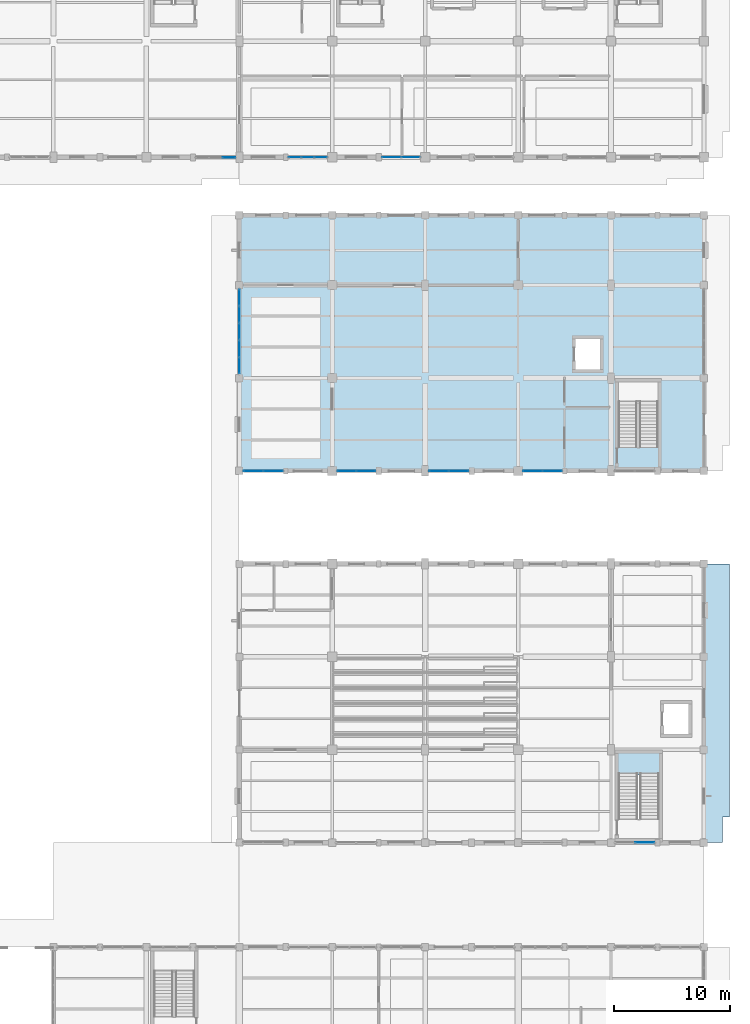
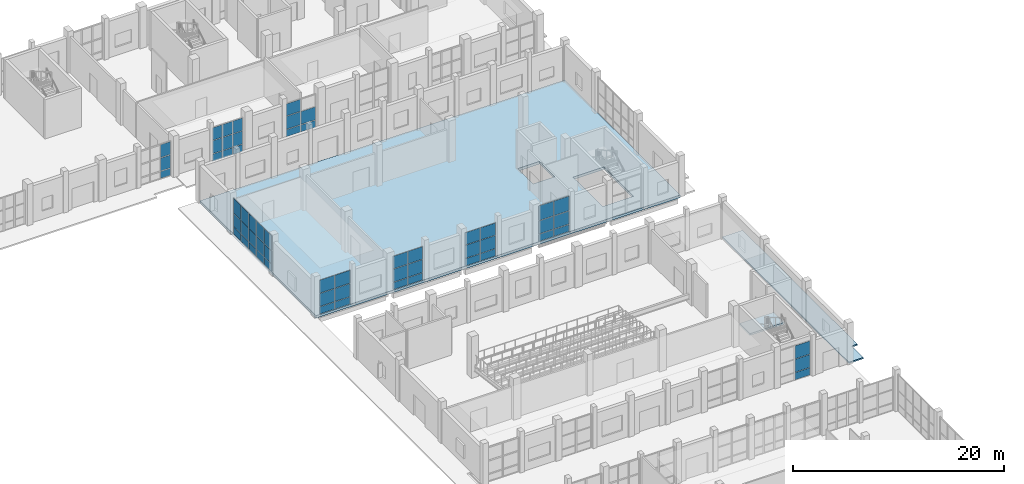
# One storey, part 117 of 156: 59 plates, 3 slabs, 10 elements without a shape of their own.
"""IFC4 building model written with IfcOpenShell, lengths in metres."""

from ifc_helpers import new_model, si_unit, direction, frame, origin, origin_2d, place, context, subcontext, project, spatial, polyline, rectangle, outline, extrude, material, layer, layer_set, type_object, element, aggregate, save


model = new_model("IFC4")

# Units and contexts
model_context = context("Model", 3, precision=1e-05, world=origin(), true_north=direction((0.0, 1.0)))
body_context = subcontext(model_context, "Body", "Model", "MODEL_VIEW")
ifc_project = project(units=[si_unit("LENGTHUNIT", "METRE"), si_unit("AREAUNIT", "SQUARE_METRE"), si_unit("VOLUMEUNIT", "CUBIC_METRE"), si_unit("PLANEANGLEUNIT", "RADIAN"), si_unit("MASSUNIT", "GRAM", prefix="KILO")], contexts=[model_context])

# Site, building, storey
site_placement = place(None, origin())
site = spatial("IfcSite", under=ifc_project, at=site_placement, CompositionType="ELEMENT")
building_placement = place(site_placement, origin())
building = spatial("IfcBuilding", under=site, at=building_placement, Name="Luwemba Playhouse", CompositionType="ELEMENT")
storey_placement = place(building_placement, origin())
storey = spatial("IfcBuildingStorey", under=building, at=storey_placement, Name="L00", CompositionType="ELEMENT", Elevation=0.0)

# Curtain wall, plates
ifc_material_1 = material(Name="Solar-control double glazing", Category="glass")
curtain_wall_type_1 = type_object("IfcCurtainWallType", Name="CW-CW22", PredefinedType="USERDEFINED", material=ifc_material_1)
curtain_wall_1_placement = place(storey_placement, origin())
curtain_wall_1 = element("IfcCurtainWall", 1, at=curtain_wall_1_placement, inside=storey, type_object=curtain_wall_type_1, Name="L00 V4 unitised curtain wall 023", ObjectType="UNITISED GLAZING", PredefinedType="USERDEFINED")
ifc_layer_1 = layer(ifc_material_1, 0.02392578125)
ifc_layer_set_1 = layer_set([ifc_layer_1], Name="Solar-control double glazing")
plate_type_1 = type_object("IfcPlateType", Name="CWP-P1", PredefinedType="CURTAIN_PANEL", material=ifc_layer_set_1)
plate_1_placement = place(storey_placement, frame((142.8974609375, 68.0, 0.06005859375), z_axis=(0.0, 0.0, 1.0), x_axis=(-1.0, 0.0, 0.0)))
plate_1 = element("IfcPlate", 2, at=plate_1_placement, type_object=plate_type_1, Name="CW22 panel 1.1", PredefinedType="CURTAIN_PANEL", context=body_context, shape_type="SweptSolid", body=[
    extrude(rectangle(XDim=1.5849609375, YDim=0.02392578125, at=origin_2d()), origin(), (0.0, 0.0, 1.0), 0.81005859375),
])
plate_2_placement = place(storey_placement, frame((142.8974609375, 68.0, 0.93017578125), z_axis=(0.0, 0.0, 1.0), x_axis=(-1.0, 0.0, 0.0)))
plate_2 = element("IfcPlate", 3, at=plate_2_placement, type_object=plate_type_1, Name="CW22 panel 1.2", PredefinedType="CURTAIN_PANEL", context=body_context, shape_type="SweptSolid", body=[
    extrude(rectangle(XDim=1.5849609375, YDim=0.02392578125, at=origin_2d()), origin(), (0.0, 0.0, 1.0), 1.489990234375),
])
plate_3_placement = place(storey_placement, frame((142.8974609375, 68.0, 2.47998046875), z_axis=(0.0, 0.0, 1.0), x_axis=(-1.0, 0.0, 0.0)))
plate_3 = element("IfcPlate", 4, at=plate_3_placement, type_object=plate_type_1, Name="CW22 panel 1.3", PredefinedType="CURTAIN_PANEL", context=body_context, shape_type="SweptSolid", body=[
    extrude(rectangle(XDim=1.5849609375, YDim=0.02392578125, at=origin_2d()), origin(), (0.0, 0.0, 1.0), 1.445068359375),
])
plate_4_placement = place(storey_placement, frame((141.25244140625, 68.0, 0.06005859375), z_axis=(0.0, 0.0, 1.0), x_axis=(-1.0, 0.0, 0.0)))
plate_4 = element("IfcPlate", 5, at=plate_4_placement, type_object=plate_type_1, Name="CW22 panel 2.1", PredefinedType="CURTAIN_PANEL", context=body_context, shape_type="SweptSolid", body=[
    extrude(rectangle(XDim=1.5849609375, YDim=0.02392578125, at=origin_2d()), origin(), (0.0, 0.0, 1.0), 0.81005859375),
])
plate_5_placement = place(storey_placement, frame((141.25244140625, 68.0, 0.93017578125), z_axis=(0.0, 0.0, 1.0), x_axis=(-1.0, 0.0, 0.0)))
plate_5 = element("IfcPlate", 6, at=plate_5_placement, type_object=plate_type_1, Name="CW22 panel 2.2", PredefinedType="CURTAIN_PANEL", context=body_context, shape_type="SweptSolid", body=[
    extrude(rectangle(XDim=1.5849609375, YDim=0.02392578125, at=origin_2d()), origin(), (0.0, 0.0, 1.0), 1.489990234375),
])
plate_6_placement = place(storey_placement, frame((141.25244140625, 68.0, 2.47998046875), z_axis=(0.0, 0.0, 1.0), x_axis=(-1.0, 0.0, 0.0)))
plate_6 = element("IfcPlate", 7, at=plate_6_placement, type_object=plate_type_1, Name="CW22 panel 2.3", PredefinedType="CURTAIN_PANEL", context=body_context, shape_type="SweptSolid", body=[
    extrude(rectangle(XDim=1.5849609375, YDim=0.02392578125, at=origin_2d()), origin(), (0.0, 0.0, 1.0), 1.445068359375),
])
aggregate(curtain_wall_1, [plate_1, plate_2, plate_3, plate_4, plate_5, plate_6])

curtain_wall_type_2 = type_object("IfcCurtainWallType", Name="CW-CW68", PredefinedType="USERDEFINED", material=ifc_material_1)
curtain_wall_2_placement = place(storey_placement, origin())
curtain_wall_2 = element("IfcCurtainWall", 8, at=curtain_wall_2_placement, inside=storey, type_object=curtain_wall_type_2, Name="L00 V6E unitised curtain wall 091", ObjectType="UNITISED GLAZING", PredefinedType="USERDEFINED")
plate_7_placement = place(storey_placement, frame((146.74755859375, 95.0, 0.06005859375), z_axis=(0.0, 0.0, 1.0), x_axis=(-1.0, 0.0, 0.0)))
plate_7 = element("IfcPlate", 9, at=plate_7_placement, type_object=plate_type_1, Name="CW68 panel 1.1", PredefinedType="CURTAIN_PANEL", context=body_context, shape_type="SweptSolid", body=[
    extrude(rectangle(XDim=1.5849609375, YDim=0.02392578125, at=origin_2d()), origin(), (0.0, 0.0, 1.0), 0.81005859375),
])
plate_8_placement = place(storey_placement, frame((146.74755859375, 95.0, 0.93017578125), z_axis=(0.0, 0.0, 1.0), x_axis=(-1.0, 0.0, 0.0)))
plate_8 = element("IfcPlate", 10, at=plate_8_placement, type_object=plate_type_1, Name="CW68 panel 1.2", PredefinedType="CURTAIN_PANEL", context=body_context, shape_type="SweptSolid", body=[
    extrude(rectangle(XDim=1.5849609375, YDim=0.02392578125, at=origin_2d()), origin(), (0.0, 0.0, 1.0), 1.489990234375),
])
plate_9_placement = place(storey_placement, frame((145.1025390625, 95.0, 0.06005859375), z_axis=(0.0, 0.0, 1.0), x_axis=(-1.0, 0.0, 0.0)))
plate_9 = element("IfcPlate", 11, at=plate_9_placement, type_object=plate_type_1, Name="CW68 panel 2.1", PredefinedType="CURTAIN_PANEL", context=body_context, shape_type="SweptSolid", body=[
    extrude(rectangle(XDim=1.5849609375, YDim=0.02392578125, at=origin_2d()), origin(), (0.0, 0.0, 1.0), 0.81005859375),
])
plate_10_placement = place(storey_placement, frame((145.1025390625, 95.0, 0.93017578125), z_axis=(0.0, 0.0, 1.0), x_axis=(-1.0, 0.0, 0.0)))
plate_10 = element("IfcPlate", 12, at=plate_10_placement, type_object=plate_type_1, Name="CW68 panel 2.2", PredefinedType="CURTAIN_PANEL", context=body_context, shape_type="SweptSolid", body=[
    extrude(rectangle(XDim=1.5849609375, YDim=0.02392578125, at=origin_2d()), origin(), (0.0, 0.0, 1.0), 1.489990234375),
])
plate_11_placement = place(storey_placement, frame((145.1025390625, 95.0, 2.47998046875), z_axis=(0.0, 0.0, 1.0), x_axis=(-1.0, 0.0, 0.0)))
plate_11 = element("IfcPlate", 13, at=plate_11_placement, type_object=plate_type_1, Name="CW68 panel 2.3", PredefinedType="CURTAIN_PANEL", context=body_context, shape_type="SweptSolid", body=[
    extrude(rectangle(XDim=1.5849609375, YDim=0.02392578125, at=origin_2d()), origin(), (0.0, 0.0, 1.0), 1.39501953125),
])
aggregate(curtain_wall_2, [plate_7, plate_8, plate_9, plate_10, plate_11])

curtain_wall_type_3 = type_object("IfcCurtainWallType", Name="CW-CW08", PredefinedType="USERDEFINED", material=ifc_material_1)
curtain_wall_3_placement = place(storey_placement, origin())
curtain_wall_3 = element("IfcCurtainWall", 14, at=curtain_wall_3_placement, inside=storey, type_object=curtain_wall_type_3, Name="L00 V4 unitised curtain wall 024", ObjectType="UNITISED GLAZING", PredefinedType="USERDEFINED")
ifc_layer_2 = layer(ifc_material_1, 0.028076171875)
ifc_layer_set_2 = layer_set([ifc_layer_2], Name="Solar-control double glazing")
plate_type_2 = type_object("IfcPlateType", Name="CWP-P2", PredefinedType="CURTAIN_PANEL", material=ifc_layer_set_2)
plate_12_placement = place(storey_placement, frame((134.9150390625, 68.0, 0.05517578125), z_axis=(0.0, 0.0, 1.0), x_axis=(-1.0, 0.0, 0.0)))
plate_12 = element("IfcPlate", 15, at=plate_12_placement, type_object=plate_type_2, Name="CW08 panel 1.1", PredefinedType="CURTAIN_PANEL", context=body_context, shape_type="SweptSolid", body=[
    extrude(rectangle(XDim=1.639892578125, YDim=0.028076171875, at=origin_2d()), origin(), (0.0, 0.0, 1.0), 0.8173828125),
])
plate_13_placement = place(storey_placement, frame((134.9150390625, 68.0, 0.927490234375), z_axis=(0.0, 0.0, 1.0), x_axis=(-1.0, 0.0, 0.0)))
plate_13 = element("IfcPlate", 16, at=plate_13_placement, type_object=plate_type_2, Name="CW08 panel 1.2", PredefinedType="CURTAIN_PANEL", context=body_context, shape_type="SweptSolid", body=[
    extrude(rectangle(XDim=1.639892578125, YDim=0.028076171875, at=origin_2d()), origin(), (0.0, 0.0, 1.0), 1.4951171875),
])
plate_14_placement = place(storey_placement, frame((134.9150390625, 68.0, 2.4775390625), z_axis=(0.0, 0.0, 1.0), x_axis=(-1.0, 0.0, 0.0)))
plate_14 = element("IfcPlate", 17, at=plate_14_placement, type_object=plate_type_2, Name="CW08 panel 1.3", PredefinedType="CURTAIN_PANEL", context=body_context, shape_type="SweptSolid", body=[
    extrude(rectangle(XDim=1.639892578125, YDim=0.028076171875, at=origin_2d()), origin(), (0.0, 0.0, 1.0), 1.50244140625),
])
plate_15_placement = place(storey_placement, frame((133.2099609375, 68.0, 0.05517578125), z_axis=(0.0, 0.0, 1.0), x_axis=(-1.0, 0.0, 0.0)))
plate_15 = element("IfcPlate", 18, at=plate_15_placement, type_object=plate_type_2, Name="CW08 panel 2.1", PredefinedType="CURTAIN_PANEL", context=body_context, shape_type="SweptSolid", body=[
    extrude(rectangle(XDim=1.639892578125, YDim=0.028076171875, at=origin_2d()), origin(), (0.0, 0.0, 1.0), 0.8173828125),
])
plate_16_placement = place(storey_placement, frame((133.2099609375, 68.0, 0.927490234375), z_axis=(0.0, 0.0, 1.0), x_axis=(-1.0, 0.0, 0.0)))
plate_16 = element("IfcPlate", 19, at=plate_16_placement, type_object=plate_type_2, Name="CW08 panel 2.2", PredefinedType="CURTAIN_PANEL", context=body_context, shape_type="SweptSolid", body=[
    extrude(rectangle(XDim=1.639892578125, YDim=0.028076171875, at=origin_2d()), origin(), (0.0, 0.0, 1.0), 1.4951171875),
])
plate_17_placement = place(storey_placement, frame((133.2099609375, 68.0, 2.4775390625), z_axis=(0.0, 0.0, 1.0), x_axis=(-1.0, 0.0, 0.0)))
plate_17 = element("IfcPlate", 20, at=plate_17_placement, type_object=plate_type_2, Name="CW08 panel 2.3", PredefinedType="CURTAIN_PANEL", context=body_context, shape_type="SweptSolid", body=[
    extrude(rectangle(XDim=1.639892578125, YDim=0.028076171875, at=origin_2d()), origin(), (0.0, 0.0, 1.0), 1.50244140625),
])
aggregate(curtain_wall_3, [plate_12, plate_13, plate_14, plate_15, plate_16, plate_17])

curtain_wall_type_4 = type_object("IfcCurtainWallType", Name="CW-CW26", PredefinedType="USERDEFINED", material=ifc_material_1)
curtain_wall_4_placement = place(storey_placement, origin())
curtain_wall_4 = element("IfcCurtainWall", 21, at=curtain_wall_4_placement, inside=storey, type_object=curtain_wall_type_4, Name="L00 V6E unitised curtain wall 092", ObjectType="UNITISED GLAZING", PredefinedType="USERDEFINED")
plate_18_placement = place(storey_placement, frame((139.01708984375, 95.0, 0.05517578125), z_axis=(0.0, 0.0, 1.0), x_axis=(-1.0, 0.0, 0.0)))
plate_18 = element("IfcPlate", 22, at=plate_18_placement, type_object=plate_type_2, Name="CW26 panel 1.1", PredefinedType="CURTAIN_PANEL", context=body_context, shape_type="SweptSolid", body=[
    extrude(rectangle(XDim=1.035888671875, YDim=0.028076171875, at=origin_2d()), origin(), (0.0, 0.0, 1.0), 0.8173828125),
])
plate_19_placement = place(storey_placement, frame((139.01708984375, 95.0, 0.927490234375), z_axis=(0.0, 0.0, 1.0), x_axis=(-1.0, 0.0, 0.0)))
plate_19 = element("IfcPlate", 23, at=plate_19_placement, type_object=plate_type_2, Name="CW26 panel 1.2", PredefinedType="CURTAIN_PANEL", context=body_context, shape_type="SweptSolid", body=[
    extrude(rectangle(XDim=1.035888671875, YDim=0.028076171875, at=origin_2d()), origin(), (0.0, 0.0, 1.0), 1.4951171875),
])
plate_20_placement = place(storey_placement, frame((139.01708984375, 95.0, 2.4775390625), z_axis=(0.0, 0.0, 1.0), x_axis=(-1.0, 0.0, 0.0)))
plate_20 = element("IfcPlate", 24, at=plate_20_placement, type_object=plate_type_2, Name="CW26 panel 1.3", PredefinedType="CURTAIN_PANEL", context=body_context, shape_type="SweptSolid", body=[
    extrude(rectangle(XDim=1.035888671875, YDim=0.028076171875, at=origin_2d()), origin(), (0.0, 0.0, 1.0), 1.452392578125),
])
plate_21_placement = place(storey_placement, frame((137.89990234375, 95.0, 0.05517578125), z_axis=(0.0, 0.0, 1.0), x_axis=(-1.0, 0.0, 0.0)))
plate_21 = element("IfcPlate", 25, at=plate_21_placement, type_object=plate_type_2, Name="CW26 panel 2.1", PredefinedType="CURTAIN_PANEL", context=body_context, shape_type="SweptSolid", body=[
    extrude(rectangle(XDim=1.068359375, YDim=0.028076171875, at=origin_2d()), origin(), (0.0, 0.0, 1.0), 0.8173828125),
])
plate_22_placement = place(storey_placement, frame((137.89990234375, 95.0, 0.927490234375), z_axis=(0.0, 0.0, 1.0), x_axis=(-1.0, 0.0, 0.0)))
plate_22 = element("IfcPlate", 26, at=plate_22_placement, type_object=plate_type_2, Name="CW26 panel 2.2", PredefinedType="CURTAIN_PANEL", context=body_context, shape_type="SweptSolid", body=[
    extrude(rectangle(XDim=1.068359375, YDim=0.028076171875, at=origin_2d()), origin(), (0.0, 0.0, 1.0), 1.4951171875),
])
plate_23_placement = place(storey_placement, frame((137.89990234375, 95.0, 2.4775390625), z_axis=(0.0, 0.0, 1.0), x_axis=(-1.0, 0.0, 0.0)))
plate_23 = element("IfcPlate", 27, at=plate_23_placement, type_object=plate_type_2, Name="CW26 panel 2.3", PredefinedType="CURTAIN_PANEL", context=body_context, shape_type="SweptSolid", body=[
    extrude(rectangle(XDim=1.068359375, YDim=0.028076171875, at=origin_2d()), origin(), (0.0, 0.0, 1.0), 1.452392578125),
])
plate_24_placement = place(storey_placement, frame((136.782958984375, 95.0, 0.05517578125), z_axis=(0.0, 0.0, 1.0), x_axis=(-1.0, 0.0, 0.0)))
plate_24 = element("IfcPlate", 28, at=plate_24_placement, type_object=plate_type_2, Name="CW26 panel 3.1", PredefinedType="CURTAIN_PANEL", context=body_context, shape_type="SweptSolid", body=[
    extrude(rectangle(XDim=1.035888671875, YDim=0.028076171875, at=origin_2d()), origin(), (0.0, 0.0, 1.0), 0.8173828125),
])
plate_25_placement = place(storey_placement, frame((136.782958984375, 95.0, 0.927490234375), z_axis=(0.0, 0.0, 1.0), x_axis=(-1.0, 0.0, 0.0)))
plate_25 = element("IfcPlate", 29, at=plate_25_placement, type_object=plate_type_2, Name="CW26 panel 3.2", PredefinedType="CURTAIN_PANEL", context=body_context, shape_type="SweptSolid", body=[
    extrude(rectangle(XDim=1.035888671875, YDim=0.028076171875, at=origin_2d()), origin(), (0.0, 0.0, 1.0), 1.4951171875),
])
plate_26_placement = place(storey_placement, frame((136.782958984375, 95.0, 2.4775390625), z_axis=(0.0, 0.0, 1.0), x_axis=(-1.0, 0.0, 0.0)))
plate_26 = element("IfcPlate", 30, at=plate_26_placement, type_object=plate_type_2, Name="CW26 panel 3.3", PredefinedType="CURTAIN_PANEL", context=body_context, shape_type="SweptSolid", body=[
    extrude(rectangle(XDim=1.035888671875, YDim=0.028076171875, at=origin_2d()), origin(), (0.0, 0.0, 1.0), 1.452392578125),
])
aggregate(curtain_wall_4, [plate_18, plate_19, plate_20, plate_21, plate_22, plate_23, plate_24, plate_25, plate_26])

curtain_wall_type_5 = type_object("IfcCurtainWallType", Name="CW-CW20", PredefinedType="USERDEFINED", material=ifc_material_1)
curtain_wall_5_placement = place(storey_placement, origin())
curtain_wall_5 = element("IfcCurtainWall", 31, at=curtain_wall_5_placement, inside=storey, type_object=curtain_wall_type_5, Name="L00 V4 unitised curtain wall 021", ObjectType="UNITISED GLAZING", PredefinedType="USERDEFINED")
ifc_layer_3 = layer(ifc_material_1, 0.031982421875)
ifc_layer_set_3 = layer_set([ifc_layer_3], Name="Solar-control double glazing")
plate_type_3 = type_object("IfcPlateType", Name="CWP-P3", PredefinedType="CURTAIN_PANEL", material=ifc_layer_set_3)
plate_27_placement = place(storey_placement, frame((158.936279296875, 68.0, 0.06494140625), z_axis=(0.0, 0.0, 1.0), x_axis=(-1.0, 0.0, 0.0)))
plate_27 = element("IfcPlate", 32, at=plate_27_placement, type_object=plate_type_3, Name="CW20 panel 1.1", PredefinedType="CURTAIN_PANEL", context=body_context, shape_type="SweptSolid", body=[
    extrude(rectangle(XDim=1.617431640625, YDim=0.031982421875, at=origin_2d()), origin(), (0.0, 0.0, 1.0), 0.802490234375),
])
plate_28_placement = place(storey_placement, frame((158.936279296875, 68.0, 0.9326171875), z_axis=(0.0, 0.0, 1.0), x_axis=(-1.0, 0.0, 0.0)))
plate_28 = element("IfcPlate", 33, at=plate_28_placement, type_object=plate_type_3, Name="CW20 panel 1.2", PredefinedType="CURTAIN_PANEL", context=body_context, shape_type="SweptSolid", body=[
    extrude(rectangle(XDim=1.617431640625, YDim=0.031982421875, at=origin_2d()), origin(), (0.0, 0.0, 1.0), 1.485107421875),
])
plate_29_placement = place(storey_placement, frame((158.936279296875, 68.0, 2.482421875), z_axis=(0.0, 0.0, 1.0), x_axis=(-1.0, 0.0, 0.0)))
plate_29 = element("IfcPlate", 34, at=plate_29_placement, type_object=plate_type_3, Name="CW20 panel 1.3", PredefinedType="CURTAIN_PANEL", context=body_context, shape_type="SweptSolid", body=[
    extrude(rectangle(XDim=1.617431640625, YDim=0.031982421875, at=origin_2d()), origin(), (0.0, 0.0, 1.0), 1.6875),
])
plate_30_placement = place(storey_placement, frame((157.263671875, 68.0, 0.06494140625), z_axis=(0.0, 0.0, 1.0), x_axis=(-1.0, 0.0, 0.0)))
plate_30 = element("IfcPlate", 35, at=plate_30_placement, type_object=plate_type_3, Name="CW20 panel 2.1", PredefinedType="CURTAIN_PANEL", context=body_context, shape_type="SweptSolid", body=[
    extrude(rectangle(XDim=1.617431640625, YDim=0.031982421875, at=origin_2d()), origin(), (0.0, 0.0, 1.0), 0.802490234375),
])
plate_31_placement = place(storey_placement, frame((157.263671875, 68.0, 0.9326171875), z_axis=(0.0, 0.0, 1.0), x_axis=(-1.0, 0.0, 0.0)))
plate_31 = element("IfcPlate", 36, at=plate_31_placement, type_object=plate_type_3, Name="CW20 panel 2.2", PredefinedType="CURTAIN_PANEL", context=body_context, shape_type="SweptSolid", body=[
    extrude(rectangle(XDim=1.617431640625, YDim=0.031982421875, at=origin_2d()), origin(), (0.0, 0.0, 1.0), 1.485107421875),
])
plate_32_placement = place(storey_placement, frame((157.263671875, 68.0, 2.482421875), z_axis=(0.0, 0.0, 1.0), x_axis=(-1.0, 0.0, 0.0)))
plate_32 = element("IfcPlate", 37, at=plate_32_placement, type_object=plate_type_3, Name="CW20 panel 2.3", PredefinedType="CURTAIN_PANEL", context=body_context, shape_type="SweptSolid", body=[
    extrude(rectangle(XDim=1.617431640625, YDim=0.031982421875, at=origin_2d()), origin(), (0.0, 0.0, 1.0), 1.6875),
])
aggregate(curtain_wall_5, [plate_27, plate_28, plate_29, plate_30, plate_31, plate_32])

curtain_wall_type_6 = type_object("IfcCurtainWallType", Name="CW-CW17", PredefinedType="USERDEFINED", material=ifc_material_1)
curtain_wall_6_placement = place(storey_placement, origin())
curtain_wall_6 = element("IfcCurtainWall", 38, at=curtain_wall_6_placement, inside=storey, type_object=curtain_wall_type_6, Name="L00 V6E unitised curtain wall 093", ObjectType="UNITISED GLAZING", PredefinedType="USERDEFINED")
plate_33_placement = place(storey_placement, frame((131.107177734375, 95.0, 0.06494140625), z_axis=(0.0, 0.0, 1.0), x_axis=(-1.0, 0.0, 0.0)))
plate_33 = element("IfcPlate", 39, at=plate_33_placement, type_object=plate_type_3, Name="CW17 panel 1.1", PredefinedType="CURTAIN_PANEL", context=body_context, shape_type="SweptSolid", body=[
    extrude(rectangle(XDim=1.075927734375, YDim=0.031982421875, at=origin_2d()), origin(), (0.0, 0.0, 1.0), 0.802490234375),
])
plate_34_placement = place(storey_placement, frame((131.107177734375, 95.0, 0.9326171875), z_axis=(0.0, 0.0, 1.0), x_axis=(-1.0, 0.0, 0.0)))
plate_34 = element("IfcPlate", 40, at=plate_34_placement, type_object=plate_type_3, Name="CW17 panel 1.2", PredefinedType="CURTAIN_PANEL", context=body_context, shape_type="SweptSolid", body=[
    extrude(rectangle(XDim=1.075927734375, YDim=0.031982421875, at=origin_2d()), origin(), (0.0, 0.0, 1.0), 1.485107421875),
])
plate_35_placement = place(storey_placement, frame((131.107177734375, 95.0, 2.482421875), z_axis=(0.0, 0.0, 1.0), x_axis=(-1.0, 0.0, 0.0)))
plate_35 = element("IfcPlate", 41, at=plate_35_placement, type_object=plate_type_3, Name="CW17 panel 1.3", PredefinedType="CURTAIN_PANEL", context=body_context, shape_type="SweptSolid", body=[
    extrude(rectangle(XDim=1.075927734375, YDim=0.031982421875, at=origin_2d()), origin(), (0.0, 0.0, 1.0), 1.487548828125),
])
aggregate(curtain_wall_6, [plate_33, plate_34, plate_35])

curtain_wall_type_7 = type_object("IfcCurtainWallType", Name="CW-CW14", PredefinedType="USERDEFINED", material=ifc_material_1)
curtain_wall_7_placement = place(storey_placement, origin())
curtain_wall_7 = element("IfcCurtainWall", 42, at=curtain_wall_7_placement, inside=storey, type_object=curtain_wall_type_7, Name="L00 V3 unitised curtain wall 014", ObjectType="UNITISED GLAZING", PredefinedType="USERDEFINED")
ifc_layer_4 = layer(ifc_material_1, 0.035888671875)
ifc_layer_set_4 = layer_set([ifc_layer_4], Name="Solar-control double glazing")
plate_type_4 = type_object("IfcPlateType", Name="CWP-P4", PredefinedType="CURTAIN_PANEL", material=ifc_layer_set_4)
plate_36_placement = place(storey_placement, frame((166.913818359375, 36.0, 0.0498046875), z_axis=(0.0, 0.0, 1.0), x_axis=(-1.0, 0.0, 0.0)))
plate_36 = element("IfcPlate", 43, at=plate_36_placement, type_object=plate_type_4, Name="CW14 panel 1.1", PredefinedType="CURTAIN_PANEL", context=body_context, shape_type="SweptSolid", body=[
    extrude(rectangle(XDim=1.632568359375, YDim=0.035888671875, at=origin_2d()), origin(), (0.0, 0.0, 1.0), 0.824951171875),
])
plate_37_placement = place(storey_placement, frame((166.913818359375, 36.0, 0.925048828125), z_axis=(0.0, 0.0, 1.0), x_axis=(-1.0, 0.0, 0.0)))
plate_37 = element("IfcPlate", 44, at=plate_37_placement, type_object=plate_type_4, Name="CW14 panel 1.2", PredefinedType="CURTAIN_PANEL", context=body_context, shape_type="SweptSolid", body=[
    extrude(rectangle(XDim=1.632568359375, YDim=0.035888671875, at=origin_2d()), origin(), (0.0, 0.0, 1.0), 1.5),
])
plate_38_placement = place(storey_placement, frame((166.913818359375, 36.0, 2.47509765625), z_axis=(0.0, 0.0, 1.0), x_axis=(-1.0, 0.0, 0.0)))
plate_38 = element("IfcPlate", 45, at=plate_38_placement, type_object=plate_type_4, Name="CW14 panel 1.3", PredefinedType="CURTAIN_PANEL", context=body_context, shape_type="SweptSolid", body=[
    extrude(rectangle(XDim=1.632568359375, YDim=0.035888671875, at=origin_2d()), origin(), (0.0, 0.0, 1.0), 1.510009765625),
])
aggregate(curtain_wall_7, [plate_36, plate_37, plate_38])

curtain_wall_type_8 = type_object("IfcCurtainWallType", Name="CW-CW18", PredefinedType="USERDEFINED", material=ifc_material_1)
curtain_wall_8_placement = place(storey_placement, origin())
curtain_wall_8 = element("IfcCurtainWall", 46, at=curtain_wall_8_placement, inside=storey, type_object=curtain_wall_type_8, Name="L00 V4 unitised curtain wall 018", ObjectType="UNITISED GLAZING", PredefinedType="USERDEFINED")
plate_39_placement = place(storey_placement, frame((132.0, 77.077392578125, 0.0498046875), z_axis=(0.0, 0.0, 1.0), x_axis=(0.0, 1.0, 0.0)))
plate_39 = element("IfcPlate", 47, at=plate_39_placement, type_object=plate_type_4, Name="CW18 panel 1.1", PredefinedType="CURTAIN_PANEL", context=body_context, shape_type="SweptSolid", body=[
    extrude(rectangle(XDim=1.364990234375, YDim=0.035888671875, at=origin_2d()), origin(), (0.0, 0.0, 1.0), 0.824951171875),
])
plate_40_placement = place(storey_placement, frame((132.0, 77.077392578125, 0.925048828125), z_axis=(0.0, 0.0, 1.0), x_axis=(0.0, 1.0, 0.0)))
plate_40 = element("IfcPlate", 48, at=plate_40_placement, type_object=plate_type_4, Name="CW18 panel 1.2", PredefinedType="CURTAIN_PANEL", context=body_context, shape_type="SweptSolid", body=[
    extrude(rectangle(XDim=1.364990234375, YDim=0.035888671875, at=origin_2d()), origin(), (0.0, 0.0, 1.0), 1.5),
])
plate_41_placement = place(storey_placement, frame((132.0, 77.077392578125, 2.47509765625), z_axis=(0.0, 0.0, 1.0), x_axis=(0.0, 1.0, 0.0)))
plate_41 = element("IfcPlate", 49, at=plate_41_placement, type_object=plate_type_4, Name="CW18 panel 1.3", PredefinedType="CURTAIN_PANEL", context=body_context, shape_type="SweptSolid", body=[
    extrude(rectangle(XDim=1.364990234375, YDim=0.035888671875, at=origin_2d()), origin(), (0.0, 0.0, 1.0), 1.7099609375),
])
plate_42_placement = place(storey_placement, frame((132.0, 78.530029296875, 0.0498046875), z_axis=(0.0, 0.0, 1.0), x_axis=(0.0, 1.0, 0.0)))
plate_42 = element("IfcPlate", 50, at=plate_42_placement, type_object=plate_type_4, Name="CW18 panel 2.1", PredefinedType="CURTAIN_PANEL", context=body_context, shape_type="SweptSolid", body=[
    extrude(rectangle(XDim=1.39990234375, YDim=0.035888671875, at=origin_2d()), origin(), (0.0, 0.0, 1.0), 0.824951171875),
])
plate_43_placement = place(storey_placement, frame((132.0, 78.530029296875, 0.925048828125), z_axis=(0.0, 0.0, 1.0), x_axis=(0.0, 1.0, 0.0)))
plate_43 = element("IfcPlate", 51, at=plate_43_placement, type_object=plate_type_4, Name="CW18 panel 2.2", PredefinedType="CURTAIN_PANEL", context=body_context, shape_type="SweptSolid", body=[
    extrude(rectangle(XDim=1.39990234375, YDim=0.035888671875, at=origin_2d()), origin(), (0.0, 0.0, 1.0), 1.5),
])
plate_44_placement = place(storey_placement, frame((132.0, 78.530029296875, 2.47509765625), z_axis=(0.0, 0.0, 1.0), x_axis=(0.0, 1.0, 0.0)))
plate_44 = element("IfcPlate", 52, at=plate_44_placement, type_object=plate_type_4, Name="CW18 panel 2.3", PredefinedType="CURTAIN_PANEL", context=body_context, shape_type="SweptSolid", body=[
    extrude(rectangle(XDim=1.39990234375, YDim=0.035888671875, at=origin_2d()), origin(), (0.0, 0.0, 1.0), 1.7099609375),
])
plate_45_placement = place(storey_placement, frame((132.0, 80.0, 0.0498046875), z_axis=(0.0, 0.0, 1.0), x_axis=(0.0, 1.0, 0.0)))
plate_45 = element("IfcPlate", 53, at=plate_45_placement, type_object=plate_type_4, Name="CW18 panel 3.1", PredefinedType="CURTAIN_PANEL", context=body_context, shape_type="SweptSolid", body=[
    extrude(rectangle(XDim=1.39990234375, YDim=0.035888671875, at=origin_2d()), origin(), (0.0, 0.0, 1.0), 0.824951171875),
])
plate_46_placement = place(storey_placement, frame((132.0, 80.0, 0.925048828125), z_axis=(0.0, 0.0, 1.0), x_axis=(0.0, 1.0, 0.0)))
plate_46 = element("IfcPlate", 54, at=plate_46_placement, type_object=plate_type_4, Name="CW18 panel 3.2", PredefinedType="CURTAIN_PANEL", context=body_context, shape_type="SweptSolid", body=[
    extrude(rectangle(XDim=1.39990234375, YDim=0.035888671875, at=origin_2d()), origin(), (0.0, 0.0, 1.0), 1.5),
])
plate_47_placement = place(storey_placement, frame((132.0, 80.0, 2.47509765625), z_axis=(0.0, 0.0, 1.0), x_axis=(0.0, 1.0, 0.0)))
plate_47 = element("IfcPlate", 55, at=plate_47_placement, type_object=plate_type_4, Name="CW18 panel 3.3", PredefinedType="CURTAIN_PANEL", context=body_context, shape_type="SweptSolid", body=[
    extrude(rectangle(XDim=1.39990234375, YDim=0.035888671875, at=origin_2d()), origin(), (0.0, 0.0, 1.0), 1.7099609375),
])
plate_48_placement = place(storey_placement, frame((132.0, 81.469970703125, 0.0498046875), z_axis=(0.0, 0.0, 1.0), x_axis=(0.0, 1.0, 0.0)))
plate_48 = element("IfcPlate", 56, at=plate_48_placement, type_object=plate_type_4, Name="CW18 panel 4.1", PredefinedType="CURTAIN_PANEL", context=body_context, shape_type="SweptSolid", body=[
    extrude(rectangle(XDim=1.39990234375, YDim=0.035888671875, at=origin_2d()), origin(), (0.0, 0.0, 1.0), 0.824951171875),
])
plate_49_placement = place(storey_placement, frame((132.0, 81.469970703125, 0.925048828125), z_axis=(0.0, 0.0, 1.0), x_axis=(0.0, 1.0, 0.0)))
plate_49 = element("IfcPlate", 57, at=plate_49_placement, type_object=plate_type_4, Name="CW18 panel 4.2", PredefinedType="CURTAIN_PANEL", context=body_context, shape_type="SweptSolid", body=[
    extrude(rectangle(XDim=1.39990234375, YDim=0.035888671875, at=origin_2d()), origin(), (0.0, 0.0, 1.0), 1.5),
])
plate_50_placement = place(storey_placement, frame((132.0, 81.469970703125, 2.47509765625), z_axis=(0.0, 0.0, 1.0), x_axis=(0.0, 1.0, 0.0)))
plate_50 = element("IfcPlate", 58, at=plate_50_placement, type_object=plate_type_4, Name="CW18 panel 4.3", PredefinedType="CURTAIN_PANEL", context=body_context, shape_type="SweptSolid", body=[
    extrude(rectangle(XDim=1.39990234375, YDim=0.035888671875, at=origin_2d()), origin(), (0.0, 0.0, 1.0), 1.7099609375),
])
plate_51_placement = place(storey_placement, frame((132.0, 82.922607421875, 0.0498046875), z_axis=(0.0, 0.0, 1.0), x_axis=(0.0, 1.0, 0.0)))
plate_51 = element("IfcPlate", 59, at=plate_51_placement, type_object=plate_type_4, Name="CW18 panel 5.1", PredefinedType="CURTAIN_PANEL", context=body_context, shape_type="SweptSolid", body=[
    extrude(rectangle(XDim=1.364990234375, YDim=0.035888671875, at=origin_2d()), origin(), (0.0, 0.0, 1.0), 0.824951171875),
])
plate_52_placement = place(storey_placement, frame((132.0, 82.922607421875, 0.925048828125), z_axis=(0.0, 0.0, 1.0), x_axis=(0.0, 1.0, 0.0)))
plate_52 = element("IfcPlate", 60, at=plate_52_placement, type_object=plate_type_4, Name="CW18 panel 5.2", PredefinedType="CURTAIN_PANEL", context=body_context, shape_type="SweptSolid", body=[
    extrude(rectangle(XDim=1.364990234375, YDim=0.035888671875, at=origin_2d()), origin(), (0.0, 0.0, 1.0), 1.5),
])
plate_53_placement = place(storey_placement, frame((132.0, 82.922607421875, 2.47509765625), z_axis=(0.0, 0.0, 1.0), x_axis=(0.0, 1.0, 0.0)))
plate_53 = element("IfcPlate", 61, at=plate_53_placement, type_object=plate_type_4, Name="CW18 panel 5.3", PredefinedType="CURTAIN_PANEL", context=body_context, shape_type="SweptSolid", body=[
    extrude(rectangle(XDim=1.364990234375, YDim=0.035888671875, at=origin_2d()), origin(), (0.0, 0.0, 1.0), 1.7099609375),
])
aggregate(curtain_wall_8, [plate_39, plate_40, plate_41, plate_42, plate_43, plate_44, plate_45, plate_46, plate_47, plate_48, plate_49, plate_50, plate_51, plate_52, plate_53])

curtain_wall_type_9 = type_object("IfcCurtainWallType", Name="CW-CW21", PredefinedType="USERDEFINED", material=ifc_material_1)
curtain_wall_9_placement = place(storey_placement, origin())
curtain_wall_9 = element("IfcCurtainWall", 62, at=curtain_wall_9_placement, inside=storey, type_object=curtain_wall_type_9, Name="L00 V4 unitised curtain wall 022", ObjectType="UNITISED GLAZING", PredefinedType="USERDEFINED")
plate_54_placement = place(storey_placement, frame((150.888671875, 68.0, 0.0498046875), z_axis=(0.0, 0.0, 1.0), x_axis=(-1.0, 0.0, 0.0)))
plate_54 = element("IfcPlate", 63, at=plate_54_placement, type_object=plate_type_4, Name="CW21 panel 1.1", PredefinedType="CURTAIN_PANEL", context=body_context, shape_type="SweptSolid", body=[
    extrude(rectangle(XDim=1.632568359375, YDim=0.035888671875, at=origin_2d()), origin(), (0.0, 0.0, 1.0), 0.824951171875),
])
plate_55_placement = place(storey_placement, frame((150.888671875, 68.0, 0.925048828125), z_axis=(0.0, 0.0, 1.0), x_axis=(-1.0, 0.0, 0.0)))
plate_55 = element("IfcPlate", 64, at=plate_55_placement, type_object=plate_type_4, Name="CW21 panel 1.2", PredefinedType="CURTAIN_PANEL", context=body_context, shape_type="SweptSolid", body=[
    extrude(rectangle(XDim=1.632568359375, YDim=0.035888671875, at=origin_2d()), origin(), (0.0, 0.0, 1.0), 1.5),
])
plate_56_placement = place(storey_placement, frame((150.888671875, 68.0, 2.47509765625), z_axis=(0.0, 0.0, 1.0), x_axis=(-1.0, 0.0, 0.0)))
plate_56 = element("IfcPlate", 65, at=plate_56_placement, type_object=plate_type_4, Name="CW21 panel 1.3", PredefinedType="CURTAIN_PANEL", context=body_context, shape_type="SweptSolid", body=[
    extrude(rectangle(XDim=1.632568359375, YDim=0.035888671875, at=origin_2d()), origin(), (0.0, 0.0, 1.0), 1.409912109375),
])
plate_57_placement = place(storey_placement, frame((149.186279296875, 68.0, 0.0498046875), z_axis=(0.0, 0.0, 1.0), x_axis=(-1.0, 0.0, 0.0)))
plate_57 = element("IfcPlate", 66, at=plate_57_placement, type_object=plate_type_4, Name="CW21 panel 2.1", PredefinedType="CURTAIN_PANEL", context=body_context, shape_type="SweptSolid", body=[
    extrude(rectangle(XDim=1.632568359375, YDim=0.035888671875, at=origin_2d()), origin(), (0.0, 0.0, 1.0), 0.824951171875),
])
plate_58_placement = place(storey_placement, frame((149.186279296875, 68.0, 0.925048828125), z_axis=(0.0, 0.0, 1.0), x_axis=(-1.0, 0.0, 0.0)))
plate_58 = element("IfcPlate", 67, at=plate_58_placement, type_object=plate_type_4, Name="CW21 panel 2.2", PredefinedType="CURTAIN_PANEL", context=body_context, shape_type="SweptSolid", body=[
    extrude(rectangle(XDim=1.632568359375, YDim=0.035888671875, at=origin_2d()), origin(), (0.0, 0.0, 1.0), 1.5),
])
plate_59_placement = place(storey_placement, frame((149.186279296875, 68.0, 2.47509765625), z_axis=(0.0, 0.0, 1.0), x_axis=(-1.0, 0.0, 0.0)))
plate_59 = element("IfcPlate", 68, at=plate_59_placement, type_object=plate_type_4, Name="CW21 panel 2.3", PredefinedType="CURTAIN_PANEL", context=body_context, shape_type="SweptSolid", body=[
    extrude(rectangle(XDim=1.632568359375, YDim=0.035888671875, at=origin_2d()), origin(), (0.0, 0.0, 1.0), 1.409912109375),
])
aggregate(curtain_wall_9, [plate_54, plate_55, plate_56, plate_57, plate_58, plate_59])

# Slab
ifc_material_2 = material(Name="Concrete C40/50", Category="concrete")
ifc_layer_5 = layer(ifc_material_2, 0.300048828125)
ifc_layer_set_5 = layer_set([ifc_layer_5], Name="Concrete C40/50")
slab_type_1 = type_object("IfcSlabType", Name="SLB-HVY-300", PredefinedType="FLOOR", material=ifc_layer_set_5)
slab_1_placement = place(storey_placement, frame((0.0, 0.0, -0.300048828125)))
element("IfcSlab", 69, at=slab_1_placement, inside=storey, type_object=slab_type_1, Name="L00 V4 structural floor slab", PredefinedType="FLOOR", context=body_context, shape_type="SweptSolid", body=[
    extrude(outline(polyline([(172.0, 90.0), (172.0, 68.0), (132.0, 68.0), (132.0, 90.0), (172.0, 90.0)]), holes=[polyline([(168.050048828125, 75.659912109375), (164.64990234375, 75.659912109375), (164.64990234375, 70.0400390625), (168.050048828125, 70.0400390625), (168.050048828125, 75.659912109375)]), polyline([(163.199951171875, 76.60009765625), (163.199951171875, 79.5), (160.800048828125, 79.5), (160.800048828125, 76.60009765625), (163.199951171875, 76.60009765625)])]), origin(), (0.0, 0.0, 1.0), 0.300048828125),
])

# Stair, slab
stair_type = type_object("IfcStairType", Name="STR-DL-03", PredefinedType="HALF_TURN_STAIR", material=ifc_material_2)
stair_placement = place(storey_placement, origin())
stair = element("IfcStair", 70, at=stair_placement, inside=storey, type_object=stair_type, Name="L00 Studio Theatre South-East Escape Stair", PredefinedType="HALF_TURN_STAIR")
ifc_layer_6 = layer(ifc_material_2, 0.215087890625)
ifc_layer_set_6 = layer_set([ifc_layer_6], Name="Concrete C40/50")
slab_type_2 = type_object("IfcSlabType", Name="SLB-LND-215", PredefinedType="LANDING", material=ifc_layer_set_6)
slab_2_placement = place(storey_placement, frame((0.0, 0.0, 2.199951171875)))
slab_2 = element("IfcSlab", 71, at=slab_2_placement, type_object=slab_type_2, Name="ST-06 landing 1", PredefinedType="LANDING", context=body_context, shape_type="SweptSolid", body=[
    extrude(outline(polyline([(168.2900390625, 41.820068359375), (164.510009765625, 41.820068359375), (164.510009765625, 43.800048828125), (168.2900390625, 43.800048828125), (168.2900390625, 41.820068359375)])), origin(), (0.0, 0.0, 1.0), 0.199951171875),
])
aggregate(stair, [slab_2])

# Slab
ifc_material_3 = material(Name="Concrete C32/40", Category="concrete")
ifc_layer_7 = layer(ifc_material_3, 0.159912109375)
ifc_layer_set_7 = layer_set([ifc_layer_7], Name="Concrete C32/40")
slab_type_3 = type_object("IfcSlabType", Name="SLB-PAV-160", PredefinedType="USERDEFINED", material=ifc_layer_set_7)
slab_3_placement = place(storey_placement, frame((0.0, 0.0, -0.159912109375)))
element("IfcSlab", 72, at=slab_3_placement, inside=storey, type_object=slab_type_3, Name="L00 external civic plaza paving PAV-EAST-V3", ObjectType="PAVING", PredefinedType="USERDEFINED", context=body_context, shape_type="SweptSolid", body=[
    extrude(outline(polyline([(172.0, 36.0), (173.60009765625, 36.0), (173.60009765625, 38.199951171875), (174.199951171875, 38.199951171875), (174.199951171875, 60.0), (172.0, 60.0), (172.0, 36.0)])), origin(), (0.0, 0.0, 1.0), 0.159912109375),
])

save(model, "model.ifc")
